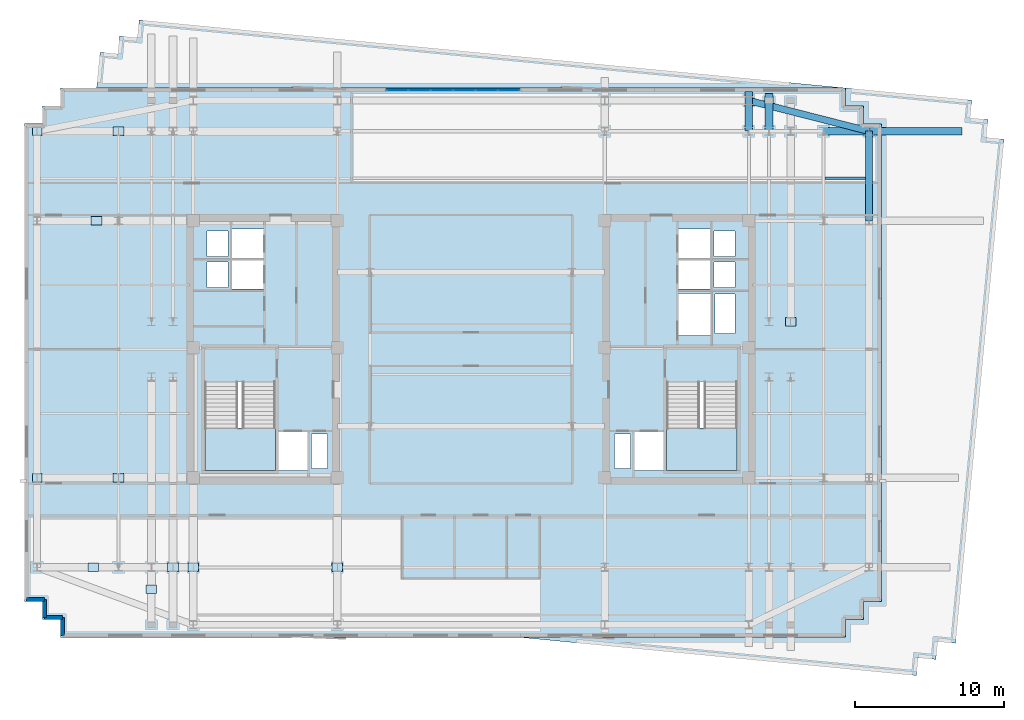
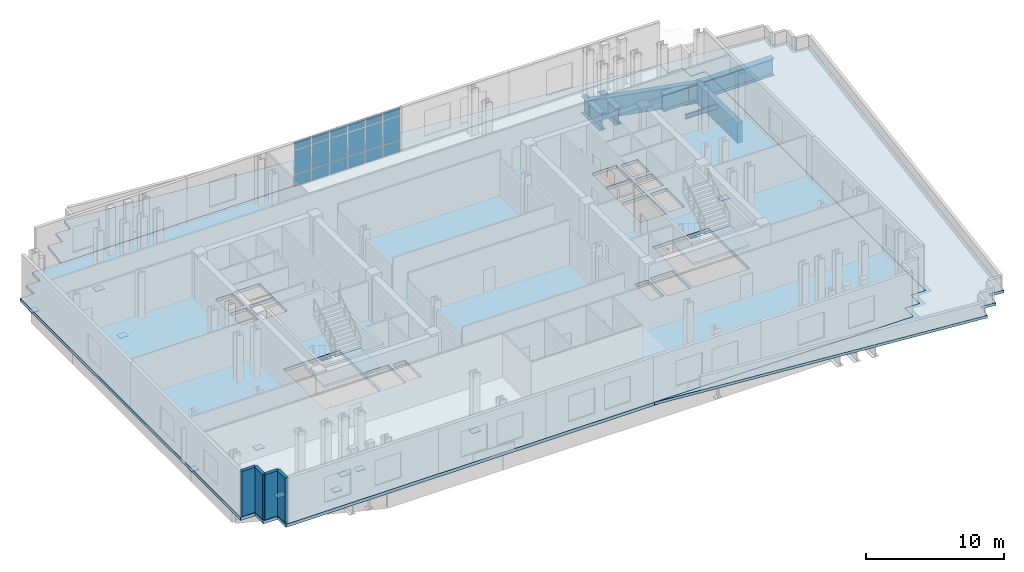
# One storey, part 4 of 11: 29 plates, 6 beams, 4 slabs, 4 walls, 3 elements without a shape of their own.
"""IFC4 building model written with IfcOpenShell, lengths in metres."""

from ifc_helpers import new_model, si_unit, direction, frame, frame_2d, origin, origin_2d, place, context, subcontext, project, spatial, polyline, rectangle, i_section, outline, extrude, material, layer, layer_set, material_profile, profile_set, type_object, element, aggregate, save


model = new_model("IFC4")

# Units and contexts
model_context = context("Model", 3, precision=1e-05, world=origin(), true_north=direction((0.0, 1.0)))
body_context = subcontext(model_context, "Body", "Model", "MODEL_VIEW")
ifc_project = project(units=[si_unit("LENGTHUNIT", "METRE"), si_unit("AREAUNIT", "SQUARE_METRE"), si_unit("VOLUMEUNIT", "CUBIC_METRE"), si_unit("PLANEANGLEUNIT", "RADIAN"), si_unit("MASSUNIT", "GRAM", prefix="KILO")], contexts=[model_context])

# Site, building, storey
site_placement = place(None, origin())
site = spatial("IfcSite", under=ifc_project, at=site_placement, CompositionType="ELEMENT")
building_placement = place(site_placement, origin())
building = spatial("IfcBuilding", under=site, at=building_placement, Name="Velakula Bourse", CompositionType="ELEMENT")
storey_placement = place(building_placement, frame((0.0, 0.0, 204.300048828125)))
storey = spatial("IfcBuildingStorey", under=building, at=storey_placement, Name="L55", CompositionType="ELEMENT", Elevation=204.300048828125)

# Beams
ifc_material_1 = material(Name="Steel IS 2062 Grade 350 (E350)", Category="steel")
ifc_material_profile_1 = material_profile(ifc_material_1, i_section(OverallWidth=0.139892578125, OverallDepth=0.39990234375, WebThickness=0.0087890625, FlangeThickness=0.01611328125, at=origin_2d()), Name="Steel IS 2062 Grade 350 (E350)")
ifc_profile_set_1 = profile_set([ifc_material_profile_1], Name="Steel IS 2062 Grade 350 (E350)")
beam_type_1 = type_object("IfcBeamType", Name="JST-TWR-400", PredefinedType="JOIST", material=ifc_profile_set_1)
beam_1_placement = place(storey_placement, frame((23.705078125, 11.449951171875, -0.47998046875), z_axis=(1.0, 0.0, 0.0), x_axis=(0.0, 1.0, 0.0)))
element("IfcBeam", 1, at=beam_1_placement, inside=storey, type_object=beam_type_1, Name="L55 Trading Floor Composite Joist 17", PredefinedType="JOIST", context=body_context, shape_type="SweptSolid", body=[
    extrude(i_section(OverallWidth=0.139892578125, OverallDepth=0.39990234375, WebThickness=0.0087890625, FlangeThickness=0.01611328125, at=origin_2d()), origin(), (0.0, 0.0, 1.0), 2.719970703125),
])
ifc_material_2 = material(Name="Concrete M50 (fck 50 MPa)", Category="concrete")
ifc_material_profile_2 = material_profile(ifc_material_2, rectangle(XDim=0.449951171875, YDim=1.800048828125, at=origin_2d()), Name="Concrete M50 (fck 50 MPa)")
ifc_profile_set_2 = profile_set([ifc_material_profile_2], Name="Concrete M50 (fck 50 MPa)")
beam_type_2 = type_object("IfcBeamType", Name="SPN-TRF-1800", PredefinedType="SPANDREL", material=ifc_profile_set_2)
beam_2_placement = place(storey_placement, frame((26.64990234375, 8.60009765625, -1.179931640625), z_axis=(0.0, 1.0, 0.0), x_axis=(-1.0, 0.0, 0.0)))
element("IfcBeam", 2, at=beam_2_placement, inside=storey, type_object=beam_type_2, Name="L55 Brick-Faced Precast Spandrel E3-E4", PredefinedType="SPANDREL", context=body_context, shape_type="SweptSolid", body=[
    extrude(rectangle(XDim=0.449951171875, YDim=1.800048828125, at=origin_2d()), origin(), (0.0, 0.0, 1.0), 6.0),
])
beam_3_placement = place(storey_placement, frame((26.64990234375, 14.60009765625, -1.179931640625), z_axis=(-0.969075197656, 0.246765599888, 0.0), x_axis=(-0.246765599888, -0.969075197656, 0.0)))
element("IfcBeam", 3, at=beam_3_placement, inside=storey, type_object=beam_type_2, Name="L55 Brick-Faced Precast Spandrel E4-N4", PredefinedType="SPANDREL", context=body_context, shape_type="SweptSolid", body=[
    extrude(rectangle(XDim=0.449951171875, YDim=1.800048828125, at=origin_2d()), origin(), (0.0, 0.0, 1.0), 8.306640625),
])
ifc_material_3 = material(Name="Steel IS 2062 Grade 450 (E450)", Category="steel")
ifc_material_profile_3 = material_profile(ifc_material_3, i_section(OverallWidth=0.52001953125, OverallDepth=1.5, WebThickness=0.030029296875, FlangeThickness=0.048095703125, at=origin_2d()), Name="Steel IS 2062 Grade 450 (E450)")
ifc_profile_set_3 = profile_set([ifc_material_profile_3], Name="Steel IS 2062 Grade 450 (E450)")
beam_type_3 = type_object("IfcBeamType", Name="TB-CANT-1500", PredefinedType="BEAM", material=ifc_profile_set_3)
beam_4_placement = place(storey_placement, frame((18.60009765625, 14.60009765625, -1.030029296875), z_axis=(0.0, 1.0, 0.0), x_axis=(-1.0, 0.0, 0.0)))
element("IfcBeam", 4, at=beam_4_placement, inside=storey, type_object=beam_type_3, Name="L55 Block B5 Transfer Girder N4", PredefinedType="BEAM", context=body_context, shape_type="SweptSolid", body=[
    extrude(i_section(OverallWidth=0.52001953125, OverallDepth=1.5, WebThickness=0.030029296875, FlangeThickness=0.048095703125, at=origin_2d()), origin(), (0.0, 0.0, 1.0), 2.660400390625),
])
beam_5_placement = place(storey_placement, frame((23.60009765625, 14.60009765625, -1.030029296875), z_axis=(1.0, 0.0, 0.0), x_axis=(0.0, 1.0, 0.0)))
element("IfcBeam", 5, at=beam_5_placement, inside=storey, type_object=beam_type_3, Name="L55 Block B5 Transfer Girder E4", PredefinedType="BEAM", context=body_context, shape_type="SweptSolid", body=[
    extrude(i_section(OverallWidth=0.52001953125, OverallDepth=1.5, WebThickness=0.030029296875, FlangeThickness=0.048095703125, at=origin_2d()), origin(), (0.0, 0.0, 1.0), 9.2734375),
])
beam_6_placement = place(storey_placement, frame((19.949951171875, 14.60009765625, -1.030029296875), z_axis=(0.0, 1.0, 0.0), x_axis=(-1.0, 0.0, 0.0)))
element("IfcBeam", 6, at=beam_6_placement, inside=storey, type_object=beam_type_3, Name="L55 Block B5 Transfer Girder P07", PredefinedType="BEAM", context=body_context, shape_type="SweptSolid", body=[
    extrude(i_section(OverallWidth=0.52001953125, OverallDepth=1.5, WebThickness=0.030029296875, FlangeThickness=0.048095703125, at=origin_2d()), origin(), (0.0, 0.0, 1.0), 2.530517578125),
])

# Plates
ifc_layer_1 = layer(ifc_material_1, 0.0400390625, Name="Steel IS 2062 Grade 350 (E350)", Category="steel")
ifc_layer_set_1 = layer_set([ifc_layer_1], Name="Steel IS 2062 Grade 350 (E350)")
plate_type_1 = type_object("IfcPlateType", Name="PLT-NODE-TRF", PredefinedType="USERDEFINED", material=ifc_layer_set_1)
for number, where, z_axis, x_axis, name in (
    (7, (-18.60009765625, -14.60009765625, -1.050048828125), (0.0, 0.0, 1.0), (0.0, 1.0, 0.0), "L55 Cantilever Fulcrum Node Gusset Plate S1"),
    (8, (-8.949951171875, -14.60009765625, -1.050048828125), (0.0, 0.0, 1.0), (0.0, 1.0, 0.0), "L55 Cantilever Fulcrum Node Gusset Plate S2"),
):
    element("IfcPlate", number, at=place(storey_placement, frame(where, z_axis=z_axis, x_axis=x_axis)), inside=storey, type_object=plate_type_1, Name=name, ObjectType="GUSSET PLATE", PredefinedType="USERDEFINED", context=body_context, shape_type="SweptSolid", body=[
        extrude(rectangle(XDim=0.56005859375, YDim=0.719970703125, at=origin_2d()), origin(), (0.0, 0.0, 1.0), 0.0400390625),
    ])
plate_1_placement = place(storey_placement, frame((-25.29296875, -14.60009765625, -1.050048828125), z_axis=(0.0, 0.0, 1.0), x_axis=(1.0, 0.0, 0.0)))
element("IfcPlate", 9, at=plate_1_placement, inside=storey, type_object=plate_type_1, Name="L55 Cantilever Fulcrum Node Gusset Plate W1", ObjectType="GUSSET PLATE", PredefinedType="USERDEFINED", context=body_context, shape_type="SweptSolid", body=[
    extrude(rectangle(XDim=0.719970703125, YDim=0.56005859375, at=origin_2d()), origin(), (0.0, 0.0, 1.0), 0.0400390625),
])
plate_2_placement = place(storey_placement, frame((-29.050048828125, -8.60009765625, -1.050048828125), z_axis=(0.0, 0.0, 1.0), x_axis=(-1.0, 0.0, 0.0)))
element("IfcPlate", 10, at=plate_2_placement, inside=storey, type_object=plate_type_1, Name="L55 Transfer Raking Strut Head Gusset W2", ObjectType="GUSSET PLATE", PredefinedType="USERDEFINED", context=body_context, shape_type="SweptSolid", body=[
    extrude(rectangle(XDim=0.639892578125, YDim=0.56005859375, at=origin_2d()), origin(), (0.0, 0.0, 1.0), 0.0400390625),
])
for number, where, z_axis, x_axis, name in (
    (11, (-23.60009765625, -8.60009765625, -1.050048828125), (0.0, 0.0, 1.0), (1.0, 0.0, 0.0), "L55 Cantilever Fulcrum Node Gusset Plate W2"),
    (12, (-25.068115234375, 8.60009765625, -1.050048828125), (0.0, 0.0, 1.0), (1.0, 0.0, 0.0), "L55 Cantilever Fulcrum Node Gusset Plate W3"),
):
    element("IfcPlate", number, at=place(storey_placement, frame(where, z_axis=z_axis, x_axis=x_axis)), inside=storey, type_object=plate_type_1, Name=name, ObjectType="GUSSET PLATE", PredefinedType="USERDEFINED", context=body_context, shape_type="SweptSolid", body=[
        extrude(rectangle(XDim=0.719970703125, YDim=0.56005859375, at=origin_2d()), origin(), (0.0, 0.0, 1.0), 0.0400390625),
    ])
plate_3_placement = place(storey_placement, frame((-29.050048828125, 14.60009765625, -1.050048828125), z_axis=(0.0, 0.0, 1.0), x_axis=(-1.0, 0.0, 0.0)))
element("IfcPlate", 13, at=plate_3_placement, inside=storey, type_object=plate_type_1, Name="L55 Transfer Raking Strut Head Gusset W4", ObjectType="GUSSET PLATE", PredefinedType="USERDEFINED", context=body_context, shape_type="SweptSolid", body=[
    extrude(rectangle(XDim=0.639892578125, YDim=0.56005859375, at=origin_2d()), origin(), (0.0, 0.0, 1.0), 0.0400390625),
])
plate_4_placement = place(storey_placement, frame((-23.60009765625, 14.60009765625, -1.050048828125), z_axis=(0.0, 0.0, 1.0), x_axis=(1.0, 0.0, 0.0)))
element("IfcPlate", 14, at=plate_4_placement, inside=storey, type_object=plate_type_1, Name="L55 Cantilever Fulcrum Node Gusset Plate W4", ObjectType="GUSSET PLATE", PredefinedType="USERDEFINED", context=body_context, shape_type="SweptSolid", body=[
    extrude(rectangle(XDim=0.719970703125, YDim=0.56005859375, at=origin_2d()), origin(), (0.0, 0.0, 1.0), 0.0400390625),
])
for number, where, z_axis, x_axis, name in (
    (15, (-21.39990234375, -16.05908203125, -1.050048828125), (0.0, 0.0, 1.0), (0.0, 1.0, 0.0), "L55 Cantilever Fulcrum Node Gusset Plate P01"),
    (16, (-19.949951171875, -14.60009765625, -1.050048828125), (0.0, 0.0, 1.0), (0.0, 1.0, 0.0), "L55 Cantilever Fulcrum Node Gusset Plate P02"),
    (17, (21.39990234375, 1.85009765625, -1.050048828125), (0.0, 0.0, 1.0), (0.0, 1.0, 0.0), "L55 Cantilever Fulcrum Node Gusset Plate P08"),
):
    element("IfcPlate", number, at=place(storey_placement, frame(where, z_axis=z_axis, x_axis=x_axis)), inside=storey, type_object=plate_type_1, Name=name, ObjectType="GUSSET PLATE", PredefinedType="USERDEFINED", context=body_context, shape_type="SweptSolid", body=[
        extrude(rectangle(XDim=0.56005859375, YDim=0.719970703125, at=origin_2d()), origin(), (0.0, 0.0, 1.0), 0.0400390625),
    ])

# Curtain wall, plates
ifc_material_4 = material(Name="Anodised bronze architectural aluminium", Category="aluminium")
ifc_layer_2 = layer(ifc_material_4, 0.1650390625, Name="Anodised bronze architectural aluminium", Category="aluminium")
ifc_layer_set_2 = layer_set([ifc_layer_2], Name="Anodised bronze architectural aluminium")
curtain_wall_type = type_object("IfcCurtainWallType", Name="CW-SL1", PredefinedType="NOTDEFINED", material=ifc_layer_set_2)
curtain_wall_placement = place(storey_placement, origin())
curtain_wall = element("IfcCurtainWall", 18, at=curtain_wall_placement, inside=storey, type_object=curtain_wall_type, Name="L55 Sky-Lobby Feature Curtain Wall", PredefinedType="NOTDEFINED")
ifc_material_5 = material(Name="Double-glazed solar-control Low-E glass", Category="glass")
ifc_layer_3 = layer(ifc_material_5, 0.02490234375, Name="Double-glazed solar-control Low-E glass", Category="glass")
ifc_layer_set_3 = layer_set([ifc_layer_3], Name="Double-glazed solar-control Low-E glass")
plate_type_2 = type_object("IfcPlateType", Name="PNL-CW-SL1", PredefinedType="CURTAIN_PANEL", material=ifc_layer_set_3)
plate_5_placement = place(storey_placement, frame((-4.93505859375, 17.35009765625, 0.06005859375), z_axis=(0.0, 0.0, 1.0), x_axis=(1.0, 0.0, 0.0)))
plate_5 = element("IfcPlate", 19, at=plate_5_placement, type_object=plate_type_2, Name="CW-SL1 panel 1.1", PredefinedType="CURTAIN_PANEL", context=body_context, shape_type="SweptSolid", body=[
    extrude(rectangle(XDim=1.409912109375, YDim=0.028076171875, at=origin_2d()), origin(), (0.0, 0.0, 1.0), 1.010009765625),
])
plate_6_placement = place(storey_placement, frame((-4.93505859375, 17.35009765625, 1.1298828125), z_axis=(0.0, 0.0, 1.0), x_axis=(1.0, 0.0, 0.0)))
plate_6 = element("IfcPlate", 20, at=plate_6_placement, type_object=plate_type_2, Name="CW-SL1 panel 1.2", PredefinedType="CURTAIN_PANEL", context=body_context, shape_type="SweptSolid", body=[
    extrude(rectangle(XDim=1.409912109375, YDim=0.028076171875, at=origin_2d()), origin(), (0.0, 0.0, 1.0), 2.090087890625),
])
plate_7_placement = place(storey_placement, frame((-4.93505859375, 17.35009765625, 3.27978515625), z_axis=(0.0, 0.0, 1.0), x_axis=(1.0, 0.0, 0.0)))
plate_7 = element("IfcPlate", 21, at=plate_7_placement, type_object=plate_type_2, Name="CW-SL1 panel 1.3", PredefinedType="CURTAIN_PANEL", context=body_context, shape_type="SweptSolid", body=[
    extrude(rectangle(XDim=1.409912109375, YDim=0.028076171875, at=origin_2d()), origin(), (0.0, 0.0, 1.0), 0.659912109375),
])
plate_8_placement = place(storey_placement, frame((-3.449951171875, 17.35009765625, 0.06005859375), z_axis=(0.0, 0.0, 1.0), x_axis=(1.0, 0.0, 0.0)))
plate_8 = element("IfcPlate", 22, at=plate_8_placement, type_object=plate_type_2, Name="CW-SL1 panel 2.1", PredefinedType="CURTAIN_PANEL", context=body_context, shape_type="SweptSolid", body=[
    extrude(rectangle(XDim=1.43994140625, YDim=0.028076171875, at=origin_2d()), origin(), (0.0, 0.0, 1.0), 1.010009765625),
])
plate_9_placement = place(storey_placement, frame((-3.449951171875, 17.35009765625, 1.1298828125), z_axis=(0.0, 0.0, 1.0), x_axis=(1.0, 0.0, 0.0)))
plate_9 = element("IfcPlate", 23, at=plate_9_placement, type_object=plate_type_2, Name="CW-SL1 panel 2.2", PredefinedType="CURTAIN_PANEL", context=body_context, shape_type="SweptSolid", body=[
    extrude(rectangle(XDim=1.43994140625, YDim=0.028076171875, at=origin_2d()), origin(), (0.0, 0.0, 1.0), 2.090087890625),
])
plate_10_placement = place(storey_placement, frame((-3.449951171875, 17.35009765625, 3.27978515625), z_axis=(0.0, 0.0, 1.0), x_axis=(1.0, 0.0, 0.0)))
plate_10 = element("IfcPlate", 24, at=plate_10_placement, type_object=plate_type_2, Name="CW-SL1 panel 2.3", PredefinedType="CURTAIN_PANEL", context=body_context, shape_type="SweptSolid", body=[
    extrude(rectangle(XDim=1.43994140625, YDim=0.028076171875, at=origin_2d()), origin(), (0.0, 0.0, 1.0), 0.659912109375),
])
plate_11_placement = place(storey_placement, frame((-1.949951171875, 17.35009765625, 0.06005859375), z_axis=(0.0, 0.0, 1.0), x_axis=(1.0, 0.0, 0.0)))
plate_11 = element("IfcPlate", 25, at=plate_11_placement, type_object=plate_type_2, Name="CW-SL1 panel 3.1", PredefinedType="CURTAIN_PANEL", context=body_context, shape_type="SweptSolid", body=[
    extrude(rectangle(XDim=1.43994140625, YDim=0.028076171875, at=origin_2d()), origin(), (0.0, 0.0, 1.0), 1.010009765625),
])
plate_12_placement = place(storey_placement, frame((-1.949951171875, 17.35009765625, 1.1298828125), z_axis=(0.0, 0.0, 1.0), x_axis=(1.0, 0.0, 0.0)))
plate_12 = element("IfcPlate", 26, at=plate_12_placement, type_object=plate_type_2, Name="CW-SL1 panel 3.2", PredefinedType="CURTAIN_PANEL", context=body_context, shape_type="SweptSolid", body=[
    extrude(rectangle(XDim=1.43994140625, YDim=0.028076171875, at=origin_2d()), origin(), (0.0, 0.0, 1.0), 2.090087890625),
])
plate_13_placement = place(storey_placement, frame((-1.949951171875, 17.35009765625, 3.27978515625), z_axis=(0.0, 0.0, 1.0), x_axis=(1.0, 0.0, 0.0)))
plate_13 = element("IfcPlate", 27, at=plate_13_placement, type_object=plate_type_2, Name="CW-SL1 panel 3.3", PredefinedType="CURTAIN_PANEL", context=body_context, shape_type="SweptSolid", body=[
    extrude(rectangle(XDim=1.43994140625, YDim=0.028076171875, at=origin_2d()), origin(), (0.0, 0.0, 1.0), 0.659912109375),
])
plate_14_placement = place(storey_placement, frame((-0.449951171875, 17.35009765625, 0.06005859375), z_axis=(0.0, 0.0, 1.0), x_axis=(1.0, 0.0, 0.0)))
plate_14 = element("IfcPlate", 28, at=plate_14_placement, type_object=plate_type_2, Name="CW-SL1 panel 4.1", PredefinedType="CURTAIN_PANEL", context=body_context, shape_type="SweptSolid", body=[
    extrude(rectangle(XDim=1.43994140625, YDim=0.028076171875, at=origin_2d()), origin(), (0.0, 0.0, 1.0), 1.010009765625),
])
plate_15_placement = place(storey_placement, frame((-0.449951171875, 17.35009765625, 1.1298828125), z_axis=(0.0, 0.0, 1.0), x_axis=(1.0, 0.0, 0.0)))
plate_15 = element("IfcPlate", 29, at=plate_15_placement, type_object=plate_type_2, Name="CW-SL1 panel 4.2", PredefinedType="CURTAIN_PANEL", context=body_context, shape_type="SweptSolid", body=[
    extrude(rectangle(XDim=1.43994140625, YDim=0.028076171875, at=origin_2d()), origin(), (0.0, 0.0, 1.0), 2.090087890625),
])
plate_16_placement = place(storey_placement, frame((-0.449951171875, 17.35009765625, 3.27978515625), z_axis=(0.0, 0.0, 1.0), x_axis=(1.0, 0.0, 0.0)))
plate_16 = element("IfcPlate", 30, at=plate_16_placement, type_object=plate_type_2, Name="CW-SL1 panel 4.3", PredefinedType="CURTAIN_PANEL", context=body_context, shape_type="SweptSolid", body=[
    extrude(rectangle(XDim=1.43994140625, YDim=0.028076171875, at=origin_2d()), origin(), (0.0, 0.0, 1.0), 0.659912109375),
])
plate_17_placement = place(storey_placement, frame((1.050048828125, 17.35009765625, 0.06005859375), z_axis=(0.0, 0.0, 1.0), x_axis=(1.0, 0.0, 0.0)))
plate_17 = element("IfcPlate", 31, at=plate_17_placement, type_object=plate_type_2, Name="CW-SL1 panel 5.1", PredefinedType="CURTAIN_PANEL", context=body_context, shape_type="SweptSolid", body=[
    extrude(rectangle(XDim=1.43994140625, YDim=0.028076171875, at=origin_2d()), origin(), (0.0, 0.0, 1.0), 1.010009765625),
])
plate_18_placement = place(storey_placement, frame((1.050048828125, 17.35009765625, 1.1298828125), z_axis=(0.0, 0.0, 1.0), x_axis=(1.0, 0.0, 0.0)))
plate_18 = element("IfcPlate", 32, at=plate_18_placement, type_object=plate_type_2, Name="CW-SL1 panel 5.2", PredefinedType="CURTAIN_PANEL", context=body_context, shape_type="SweptSolid", body=[
    extrude(rectangle(XDim=1.43994140625, YDim=0.028076171875, at=origin_2d()), origin(), (0.0, 0.0, 1.0), 2.090087890625),
])
plate_19_placement = place(storey_placement, frame((1.050048828125, 17.35009765625, 3.27978515625), z_axis=(0.0, 0.0, 1.0), x_axis=(1.0, 0.0, 0.0)))
plate_19 = element("IfcPlate", 33, at=plate_19_placement, type_object=plate_type_2, Name="CW-SL1 panel 5.3", PredefinedType="CURTAIN_PANEL", context=body_context, shape_type="SweptSolid", body=[
    extrude(rectangle(XDim=1.43994140625, YDim=0.028076171875, at=origin_2d()), origin(), (0.0, 0.0, 1.0), 0.659912109375),
])
plate_20_placement = place(storey_placement, frame((2.534912109375, 17.35009765625, 0.06005859375), z_axis=(0.0, 0.0, 1.0), x_axis=(1.0, 0.0, 0.0)))
plate_20 = element("IfcPlate", 34, at=plate_20_placement, type_object=plate_type_2, Name="CW-SL1 panel 6.1", PredefinedType="CURTAIN_PANEL", context=body_context, shape_type="SweptSolid", body=[
    extrude(rectangle(XDim=1.409912109375, YDim=0.028076171875, at=origin_2d()), origin(), (0.0, 0.0, 1.0), 1.010009765625),
])
plate_21_placement = place(storey_placement, frame((2.534912109375, 17.35009765625, 1.1298828125), z_axis=(0.0, 0.0, 1.0), x_axis=(1.0, 0.0, 0.0)))
plate_21 = element("IfcPlate", 35, at=plate_21_placement, type_object=plate_type_2, Name="CW-SL1 panel 6.2", PredefinedType="CURTAIN_PANEL", context=body_context, shape_type="SweptSolid", body=[
    extrude(rectangle(XDim=1.409912109375, YDim=0.028076171875, at=origin_2d()), origin(), (0.0, 0.0, 1.0), 2.090087890625),
])
plate_22_placement = place(storey_placement, frame((2.534912109375, 17.35009765625, 3.27978515625), z_axis=(0.0, 0.0, 1.0), x_axis=(1.0, 0.0, 0.0)))
plate_22 = element("IfcPlate", 36, at=plate_22_placement, type_object=plate_type_2, Name="CW-SL1 panel 6.3", PredefinedType="CURTAIN_PANEL", context=body_context, shape_type="SweptSolid", body=[
    extrude(rectangle(XDim=1.409912109375, YDim=0.028076171875, at=origin_2d()), origin(), (0.0, 0.0, 1.0), 0.659912109375),
])
aggregate(curtain_wall, [plate_5, plate_6, plate_7, plate_8, plate_9, plate_10, plate_11, plate_12, plate_13, plate_14, plate_15, plate_16, plate_17, plate_18, plate_19, plate_20, plate_21, plate_22])

# Slab
ifc_layer_4 = layer(ifc_material_2, 0.239990234375, Name="Concrete M50 (fck 50 MPa)", Category="concrete")
ifc_layer_set_4 = layer_set([ifc_layer_4], Name="Concrete M50 (fck 50 MPa)")
slab_type_1 = type_object("IfcSlabType", Name="SLB-CRN-ROOF-240", PredefinedType="ROOF", material=ifc_layer_set_4)
slab_1_placement = place(storey_placement, frame((0.0, 0.0, -0.239990234375)))
element("IfcSlab", 37, at=slab_1_placement, inside=storey, type_object=slab_type_1, Name="L55 Block B4 Step-In Roof", PredefinedType="ROOF", context=body_context, shape_type="SweptSolid", body=[
    extrude(outline(polyline([(-24.83544921875, 19.8857421875), (-23.64111328125, 19.770751953125), (-23.52587890625, 20.965087890625), (-22.33154296875, 20.85009765625), (-22.216552734375, 22.044677734375), (33.525634765625, 16.67724609375), (33.41064453125, 15.48291015625), (34.605224609375, 15.36767578125), (34.490234375, 14.17333984375), (35.6845703125, 14.058349609375), (32.435546875, -19.685791015625), (31.240966796875, -19.57080078125), (31.1259765625, -20.76513671875), (29.931396484375, -20.650146484375), (29.81640625, -21.844482421875), (3.18212890625, -19.280029296875), (25.080078125, -19.280029296875), (25.080078125, -18.10009765625), (25.080078125, -18.097900390625), (25.080322265625, -18.09619140625), (25.080810546875, -18.09423828125), (25.08154296875, -18.09228515625), (25.08251953125, -18.090576171875), (25.08349609375, -18.0888671875), (25.08447265625, -18.08740234375), (25.0859375, -18.0859375), (25.08740234375, -18.08447265625), (25.0888671875, -18.08349609375), (25.090576171875, -18.08251953125), (25.09228515625, -18.08154296875), (25.09423828125, -18.080810546875), (25.09619140625, -18.080322265625), (25.097900390625, -18.080078125), (25.10009765625, -18.080078125), (26.280029296875, -18.080078125), (26.280029296875, -16.89990234375), (26.280029296875, -16.89794921875), (26.280517578125, -16.89599609375), (26.281005859375, -16.894287109375), (26.281494140625, -16.892333984375), (26.282470703125, -16.890625), (26.283447265625, -16.888916015625), (26.284423828125, -16.88720703125), (26.285888671875, -16.885986328125), (26.287353515625, -16.884521484375), (26.288818359375, -16.88330078125), (26.29052734375, -16.88232421875), (26.292236328125, -16.881591796875), (26.294189453125, -16.880859375), (26.296142578125, -16.88037109375), (26.298095703125, -16.880126953125), (26.300048828125, -16.8798828125), (27.47998046875, -16.8798828125), (27.47998046875, 15.080078125), (26.300048828125, 15.080078125), (26.298095703125, 15.080078125), (26.296142578125, 15.080322265625), (26.294189453125, 15.080810546875), (26.292236328125, 15.08154296875), (26.29052734375, 15.08251953125), (26.288818359375, 15.08349609375), (26.287353515625, 15.08447265625), (26.285888671875, 15.0859375), (26.284423828125, 15.08740234375), (26.283447265625, 15.0888671875), (26.282470703125, 15.090576171875), (26.281494140625, 15.09228515625), (26.281005859375, 15.09423828125), (26.280517578125, 15.09619140625), (26.280029296875, 15.097900390625), (26.280029296875, 15.10009765625), (26.280029296875, 16.280029296875), (25.10009765625, 16.280029296875), (25.097900390625, 16.280029296875), (25.09619140625, 16.280517578125), (25.09423828125, 16.281005859375), (25.09228515625, 16.281494140625), (25.090576171875, 16.282470703125), (25.0888671875, 16.283447265625), (25.08740234375, 16.284423828125), (25.0859375, 16.285888671875), (25.08447265625, 16.287353515625), (25.08349609375, 16.288818359375), (25.08251953125, 16.29052734375), (25.08154296875, 16.292236328125), (25.080810546875, 16.294189453125), (25.080322265625, 16.296142578125), (25.080078125, 16.298095703125), (25.080078125, 16.300048828125), (25.080078125, 17.47998046875), (-25.067138671875, 17.47998046875), (-24.83544921875, 19.8857421875)])), origin(), (0.0, 0.0, 1.0), 0.239990234375),
])

# Stair, slab
ifc_material_6 = material(Name="Concrete M45 (fck 45 MPa)", Category="concrete")
stair_type = type_object("IfcStairType", Name="STR-DOG-435", PredefinedType="HALF_TURN_STAIR", material=ifc_material_6)
stair_1_placement = place(storey_placement, origin())
stair_1 = element("IfcStair", 38, at=stair_1_placement, inside=storey, type_object=stair_type, Name="L55 West Core Exit Stair ST-W1", PredefinedType="HALF_TURN_STAIR")
ifc_layer_5 = layer(ifc_material_6, 0.199951171875, Name="Concrete M45 (fck 45 MPa)", Category="concrete")
ifc_layer_set_5 = layer_set([ifc_layer_5], Name="Concrete M45 (fck 45 MPa)")
slab_type_2 = type_object("IfcSlabType", Name="SLB-STAIR-LND-200", PredefinedType="LANDING", material=ifc_layer_set_5)
slab_2_placement = place(storey_placement, frame((0.0, 0.0, 1.89990234375)))
slab_2 = element("IfcSlab", 39, at=slab_2_placement, type_object=slab_type_2, Name="ST-W1 landing 1", PredefinedType="LANDING", context=body_context, shape_type="SweptSolid", body=[
    extrude(outline(polyline([(-17.820068359375, -5.280029296875), (-17.820068359375, -8.10009765625), (-13.10009765625, -8.10009765625), (-13.10009765625, -5.280029296875), (-17.820068359375, -5.280029296875)])), origin(), (0.0, 0.0, 1.0), 0.199951171875),
])
aggregate(stair_1, [slab_2])

stair_2_placement = place(storey_placement, origin())
stair_2 = element("IfcStair", 40, at=stair_2_placement, inside=storey, type_object=stair_type, Name="L55 East Core Exit Stair ST-E1", PredefinedType="HALF_TURN_STAIR")
slab_3_placement = place(storey_placement, frame((0.0, 0.0, 1.89990234375)))
slab_3 = element("IfcSlab", 41, at=slab_3_placement, type_object=slab_type_2, Name="ST-E1 landing 1", PredefinedType="LANDING", context=body_context, shape_type="SweptSolid", body=[
    extrude(outline(polyline([(13.10009765625, -5.280029296875), (13.10009765625, -8.10009765625), (17.820068359375, -8.10009765625), (17.820068359375, -5.280029296875), (13.10009765625, -5.280029296875)])), origin(), (0.0, 0.0, 1.0), 0.199951171875),
])
aggregate(stair_2, [slab_3])

# Slab
ifc_layer_6 = layer(ifc_material_2, 0.280029296875, Name="Concrete M50 (fck 50 MPa)", Category="concrete")
ifc_layer_set_6 = layer_set([ifc_layer_6], Name="Concrete M50 (fck 50 MPa)")
slab_type_3 = type_object("IfcSlabType", Name="SLB-TRF-280", PredefinedType="FLOOR", material=ifc_layer_set_6)
slab_4_placement = place(storey_placement, frame((0.0, 0.0, -0.280029296875)))
element("IfcSlab", 42, at=slab_4_placement, inside=storey, type_object=slab_type_3, Name="L55 Suspended Structural Floor Slab", PredefinedType="FLOOR", context=body_context, shape_type="SweptSolid", body=[
    extrude(outline(polyline([(-27.5, -19.300048828125), (25.10009765625, -19.300048828125), (25.10009765625, -18.10009765625), (26.300048828125, -18.10009765625), (26.300048828125, -16.89990234375), (27.5, -16.89990234375), (27.5, 15.10009765625), (26.300048828125, 15.10009765625), (26.300048828125, 16.300048828125), (25.10009765625, 16.300048828125), (25.10009765625, 17.5), (-27.5, 17.5), (-27.5, 16.300048828125), (-28.699951171875, 16.300048828125), (-28.699951171875, 15.10009765625), (-29.89990234375, 15.10009765625), (-29.89990234375, -16.89990234375), (-28.699951171875, -16.89990234375), (-28.699951171875, -18.10009765625), (-27.5, -18.10009765625), (-27.5, -19.300048828125)]), holes=[polyline([(-17.820068359375, -8.10009765625), (-13.10009765625, -8.10009765625), (-13.10009765625, -2.199951171875), (-17.820068359375, -2.199951171875), (-17.820068359375, -8.10009765625)]), polyline([(13.10009765625, -8.10009765625), (17.820068359375, -8.10009765625), (17.820068359375, -2.199951171875), (13.10009765625, -2.199951171875), (13.10009765625, -8.10009765625)]), polyline([(-12.89990234375, -8.10009765625), (-10.949951171875, -8.10009765625), (-10.949951171875, -5.550048828125), (-12.89990234375, -5.550048828125), (-12.89990234375, -8.10009765625)]), polyline([(10.949951171875, -8.10009765625), (12.89990234375, -8.10009765625), (12.89990234375, -5.550048828125), (10.949951171875, -5.550048828125), (10.949951171875, -8.10009765625)]), polyline([(13.89990234375, 0.919921875), (16.050048828125, 0.919921875), (16.050048828125, 3.719970703125), (13.89990234375, 3.719970703125), (13.89990234375, 0.919921875)]), polyline([(-10.679931640625, -7.97998046875), (-9.6201171875, -7.97998046875), (-9.6201171875, -5.669921875), (-10.679931640625, -5.669921875), (-10.679931640625, -7.97998046875)]), polyline([(-17.679931640625, 4.139892578125), (-16.27001953125, 4.139892578125), (-16.27001953125, 5.85009765625), (-17.679931640625, 5.85009765625), (-17.679931640625, 4.139892578125)]), polyline([(-17.679931640625, 6.2099609375), (-16.27001953125, 6.2099609375), (-16.27001953125, 7.919921875), (-17.679931640625, 7.919921875), (-17.679931640625, 6.2099609375)]), polyline([(9.6201171875, -7.97998046875), (10.679931640625, -7.97998046875), (10.679931640625, -5.669921875), (9.6201171875, -5.669921875), (9.6201171875, -7.97998046875)]), polyline([(16.27001953125, 4.139892578125), (17.679931640625, 4.139892578125), (17.679931640625, 5.85009765625), (16.27001953125, 5.85009765625), (16.27001953125, 4.139892578125)]), polyline([(16.27001953125, 6.2099609375), (17.679931640625, 6.2099609375), (17.679931640625, 7.919921875), (16.27001953125, 7.919921875), (16.27001953125, 6.2099609375)]), polyline([(16.320068359375, 1.0400390625), (17.679931640625, 1.0400390625), (17.679931640625, 3.699951171875), (16.320068359375, 3.699951171875), (16.320068359375, 1.0400390625)]), polyline([(-16.0, 4.02001953125), (-13.89990234375, 4.02001953125), (-13.89990234375, 5.969970703125), (-16.0, 5.969970703125), (-16.0, 4.02001953125)]), polyline([(-16.0, 6.090087890625), (-13.89990234375, 6.090087890625), (-13.89990234375, 8.0400390625), (-16.0, 8.0400390625), (-16.0, 6.090087890625)]), polyline([(13.89990234375, 4.02001953125), (16.0, 4.02001953125), (16.0, 5.969970703125), (13.89990234375, 5.969970703125), (13.89990234375, 4.02001953125)]), polyline([(13.89990234375, 6.090087890625), (16.0, 6.090087890625), (16.0, 8.0400390625), (13.89990234375, 8.0400390625), (13.89990234375, 6.090087890625)])]), origin(), (0.0, 0.0, 1.0), 0.280029296875),
])

# Walls
ifc_material_7 = material(Name="Buff kilned clay facing brick masonry", Category="masonry")
ifc_layer_7 = layer(ifc_material_7, 0.260009765625, Name="Buff kilned clay facing brick masonry", Category="masonry")
ifc_layer_set_7 = layer_set([ifc_layer_7], Name="Buff kilned clay facing brick masonry")
wall_type = type_object("IfcWallType", Name="WL-EXT-BRK-260", PredefinedType="STANDARD", material=ifc_layer_set_7)
for number, where, z_axis, x_axis, name in (
    (43, (-29.75, -16.75, 0.0), (0.0, 0.0, 1.0), (1.0, 0.0, 0.0), "L55 Serrated Corner Brick Wall SW-1"),
    (44, (-28.550048828125, -16.75, 0.0), (0.0, 0.0, 1.0), (0.0, -1.0, 0.0), "L55 Serrated Corner Brick Wall SW-2"),
    (45, (-28.550048828125, -17.949951171875, 0.0), (0.0, 0.0, 1.0), (1.0, 0.0, 0.0), "L55 Serrated Corner Brick Wall SW-3"),
    (46, (-27.35009765625, -17.949951171875, 0.0), (0.0, 0.0, 1.0), (0.0, -1.0, 0.0), "L55 Serrated Corner Brick Wall SW-4"),
):
    element("IfcWall", number, at=place(storey_placement, frame(where, z_axis=z_axis, x_axis=x_axis)), inside=storey, type_object=wall_type, Name=name, PredefinedType="STANDARD", context=body_context, shape_type="SweptSolid", body=[
        extrude(rectangle(XDim=1.199951171875, YDim=0.260009765625, at=frame_2d((0.60009765625, 0.0))), origin(), (0.0, 0.0, 1.0), 4.0),
    ])

save(model, "model.ifc")
